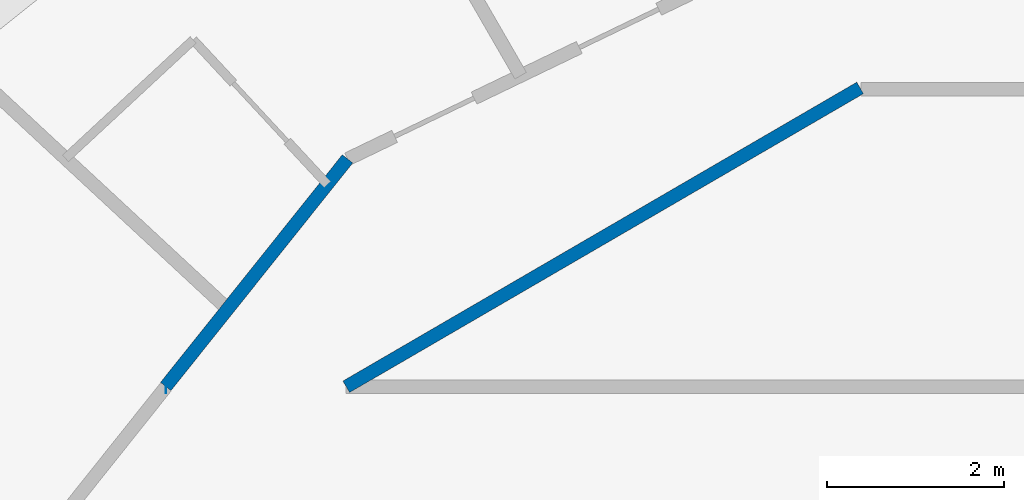
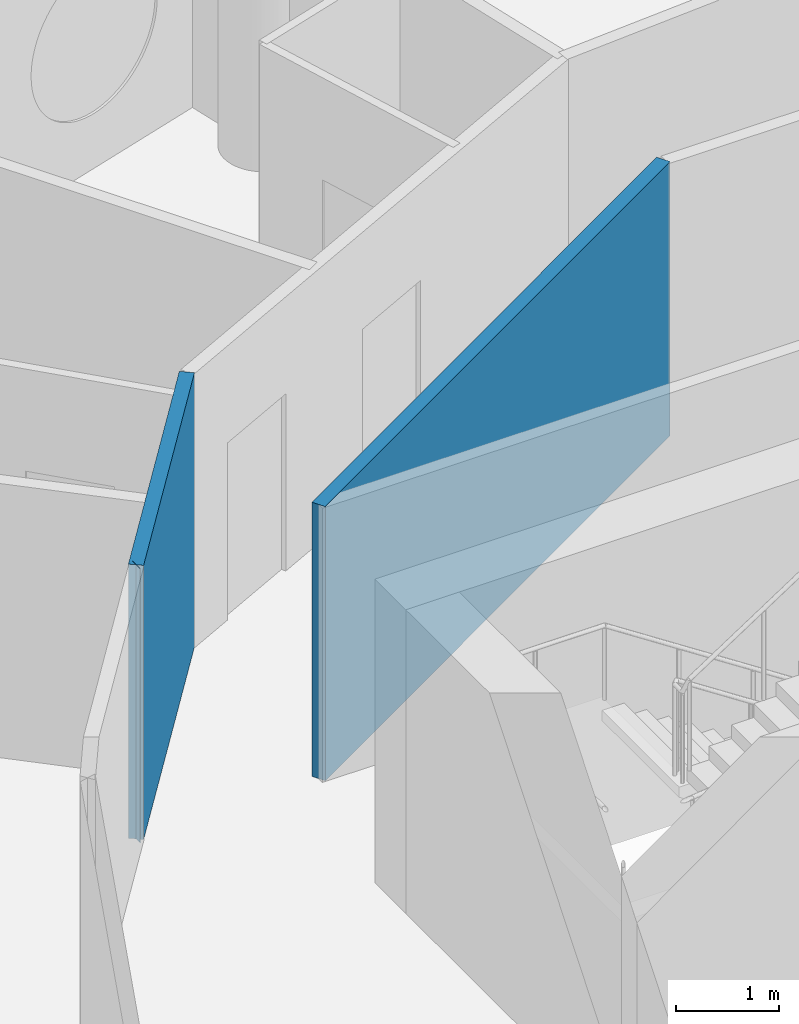
# One storey, part 7 of 13: 3 walls.
"""IFC4 building model written with IfcOpenShell, lengths in metres."""

from ifc_helpers import new_model, si_unit, direction, frame, frame_2d, origin, place, context, subcontext, project, spatial, rectangle, extrude, material, layer, layer_set, type_object, element, save


model = new_model("IFC4")

# Units and contexts
model_context = context("Model", 3, precision=1e-05, world=origin(), true_north=direction((0.0, 1.0)))
body_context = subcontext(model_context, "Body", "Model", "MODEL_VIEW")
ifc_project = project(units=[si_unit("LENGTHUNIT", "METRE"), si_unit("AREAUNIT", "SQUARE_METRE"), si_unit("VOLUMEUNIT", "CUBIC_METRE"), si_unit("PLANEANGLEUNIT", "RADIAN"), si_unit("MASSUNIT", "GRAM", prefix="KILO")], contexts=[model_context])

# Site, building, storey
site_placement = place(None, origin())
site = spatial("IfcSite", under=ifc_project, at=site_placement, CompositionType="ELEMENT")
building_placement = place(site_placement, origin())
building = spatial("IfcBuilding", under=site, at=building_placement, Name="Tracery Tower", CompositionType="ELEMENT")
storey_placement = place(building_placement, frame((0.0, 0.0, 316.199951171875)))
storey = spatial("IfcBuildingStorey", under=building, at=storey_placement, Name="L82", CompositionType="ELEMENT", Elevation=316.199951171875)

# Walls
ifc_material = material(Name="Plasterboard on steel studs", Category="steel")
ifc_layer = layer(ifc_material, 0.14990234375)
ifc_layer_set = layer_set([ifc_layer], Name="Partition 150 corridor wall")
wall_type = type_object("IfcWallType", Name="Partition 150 corridor wall", PredefinedType="PARTITIONING", material=ifc_layer_set)
wall_1_placement = place(storey_placement, frame((-9.092041015625, 8.800048828125, 0.0), z_axis=(0.0, 0.0, 1.0), x_axis=(0.864470922103, 0.502682827277, 0.0)))
element("IfcWall", 1, at=wall_1_placement, inside=storey, type_object=wall_type, Name="Corridor wall RC9-001", PredefinedType="PARTITIONING", context=body_context, shape_type="SweptSolid", body=[
    extrude(rectangle(XDim=6.7353515625, YDim=0.14990234375, at=frame_2d((3.36767578125, 0.0))), origin(), (0.0, 0.0, 1.0), 3.25),
])
wall_2_placement = place(storey_placement, frame((-11.137451171875, 8.802978515625, 0.0), z_axis=(0.0, 0.0, 1.0), x_axis=(0.624018330412, 0.781409702595, 0.0)))
element("IfcWall", 2, at=wall_2_placement, inside=storey, type_object=wall_type, Name="Corridor wall RC9-007", PredefinedType="PARTITIONING", context=body_context, shape_type="SweptSolid", body=[
    extrude(rectangle(XDim=3.30078125, YDim=0.14990234375, at=frame_2d((1.650390625, 0.0))), origin(), (0.0, 0.0, 1.0), 3.25),
])
wall_3_placement = place(storey_placement, frame((-11.134033203125, 8.800048828125, 0.0), z_axis=(0.0, 0.0, 1.0), x_axis=(-1.0, 0.0, 0.0)))
element("IfcWall", 3, at=wall_3_placement, inside=storey, type_object=wall_type, Name="Corridor wall RC9-009", PredefinedType="PARTITIONING", context=body_context, shape_type="SweptSolid", body=[
    extrude(rectangle(XDim=0.0029296875, YDim=0.14990234375, at=frame_2d((0.00146484375, 0.0))), origin(), (0.0, 0.0, 1.0), 3.25),
])

save(model, "model.ifc")
